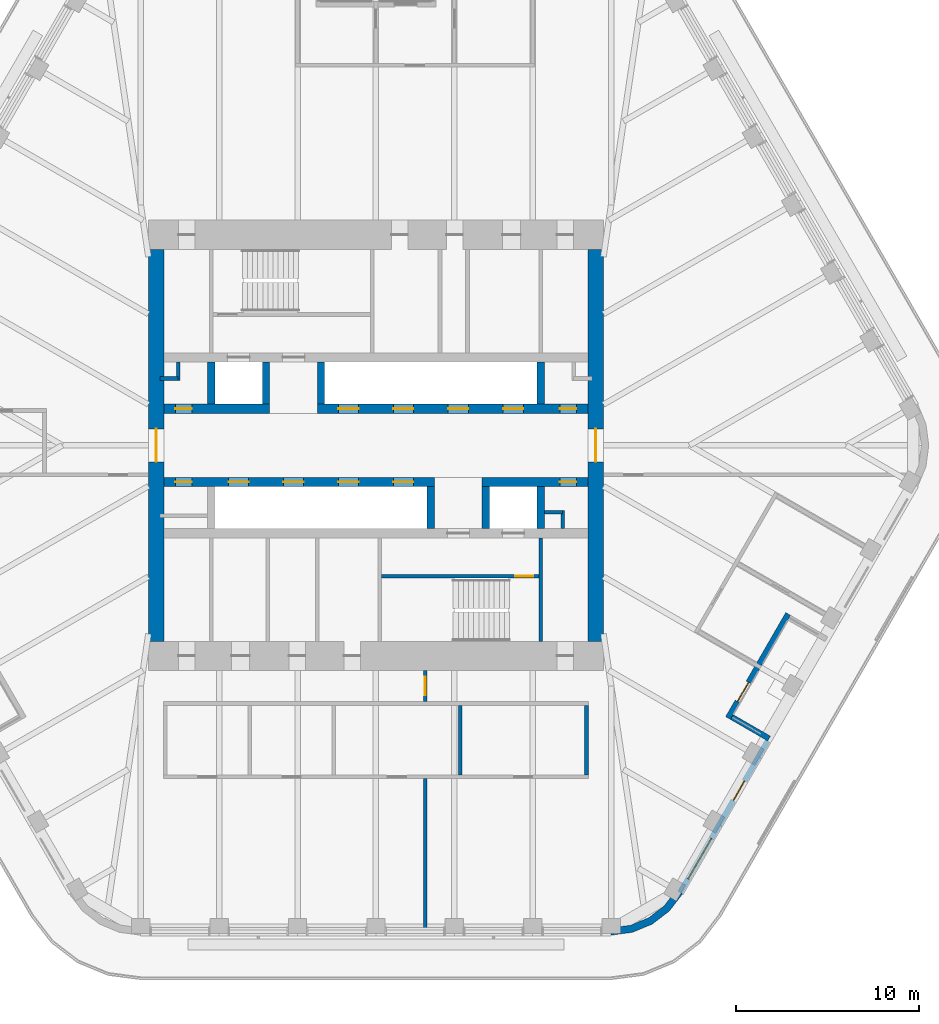
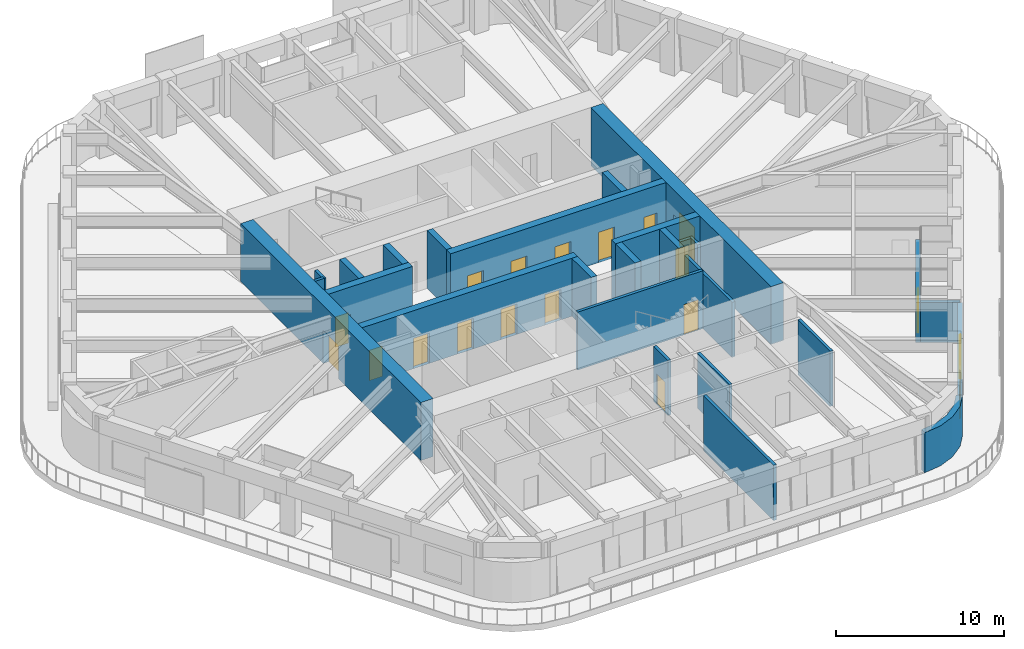
# One storey, part 14 of 19: 27 walls, 18 doors, 1 window, 19 openings.
"""IFC4 building model written with IfcOpenShell, lengths in metres."""

import ifcopenshell
import ifcopenshell.guid

model = None  # the IFC model being written
_history = None  # IfcOwnerHistory: only IFC2X3 demands one
_inside = {}  # id of a spatial element -> (the spatial element, [elements in it])
_under = {}  # id of a project, library or spatial element -> (it, [spatial elements below it])
_declared = {}  # id of a project -> (the project, [libraries it declares])
_typed = {}  # id of a type object -> (the type object, [elements of that type])
_made_of = {}  # id of a material, layer set ... -> (it, [elements and type objects made of it])


def new_model(schema):
    """Start an empty IFC model of exactly this schema.

    Asked for "IFC4X3", IfcOpenShell would pick the latest addendum, in which some entities
    have other attributes; the version numbers below select the first issue.
    IFC2X3 requires an IfcOwnerHistory on every rooted entity: one is made here for all.
    """
    global model, _history
    if schema == "IFC4X3":
        model = ifcopenshell.file(schema_version=(4, 3, 0, 0))
    else:
        model = ifcopenshell.file(schema=schema)
    _inside.clear()
    _under.clear()
    _declared.clear()
    _typed.clear()
    _made_of.clear()
    _history = None
    if model.schema == "IFC2X3":
        org = make("IfcOrganization", Name="unknown")
        user = make(
            "IfcPersonAndOrganization",
            ThePerson=make("IfcPerson", FamilyName="unknown"),
            TheOrganization=org,
        )
        app = make(
            "IfcApplication",
            ApplicationDeveloper=org,
            Version="unknown",
            ApplicationFullName="unknown",
            ApplicationIdentifier="unknown",
        )
        _history = make(
            "IfcOwnerHistory",
            OwningUser=user,
            OwningApplication=app,
            ChangeAction="ADDED",
            CreationDate=0,
        )
    return model


def make(cls, **values):
    """One entity of the class cls with the attributes given. An attribute that is None is left unset."""
    return model.create_entity(
        cls, **{name: value for name, value in values.items() if value is not None}
    )


def rooted(cls, **values):
    """An entity with a GlobalId (a new one), such as an element, a storey or a relation."""
    return make(cls, GlobalId=ifcopenshell.guid.new(), OwnerHistory=_history, **values)


def si_unit(unit_type, name, prefix=None):
    """IfcSIUnit, for example si_unit("LENGTHUNIT", "METRE", prefix="MILLI")."""
    return make("IfcSIUnit", UnitType=unit_type, Prefix=prefix, Name=name)


def assignment(units):
    """IfcUnitAssignment: the units of a project."""
    return None if units is None else make("IfcUnitAssignment", Units=units)


def point(xyz):
    """IfcCartesianPoint."""
    return None if xyz is None else make("IfcCartesianPoint", Coordinates=xyz)


def direction(xyz):
    """IfcDirection."""
    return None if xyz is None else make("IfcDirection", DirectionRatios=xyz)


def frame(location, z_axis=None, x_axis=None):
    """IfcAxis2Placement3D, a coordinate frame: its origin and axes. An axis left out is left unset."""
    return make(
        "IfcAxis2Placement3D",
        Location=point(location),
        Axis=direction(z_axis),
        RefDirection=direction(x_axis),
    )


def frame_2d(location, x_axis=None):
    """IfcAxis2Placement2D, a coordinate frame in the plane: its origin and x axis."""
    return make(
        "IfcAxis2Placement2D", Location=point(location), RefDirection=direction(x_axis)
    )


def origin():
    """The frame at (0, 0, 0) with its axes left unset."""
    return frame((0.0, 0.0, 0.0))


def place(relative_to, where):
    """IfcLocalPlacement: puts the frame where relative to a parent placement (None: the world)."""
    return make(
        "IfcLocalPlacement", PlacementRelTo=relative_to, RelativePlacement=where
    )


def context(
    kind, dimensions, precision=None, world=None, true_north=None, identifier=None
):
    """IfcGeometricRepresentationContext, for example the 3D "Model" context."""
    return make(
        "IfcGeometricRepresentationContext",
        ContextIdentifier=identifier,
        ContextType=kind,
        CoordinateSpaceDimension=dimensions,
        Precision=precision,
        WorldCoordinateSystem=world,
        TrueNorth=true_north,
    )


def subcontext(parent, identifier, kind, view, scale=None):
    """IfcGeometricRepresentationSubContext, for example "Body" below "Model"."""
    return make(
        "IfcGeometricRepresentationSubContext",
        ContextIdentifier=identifier,
        ContextType=kind,
        ParentContext=parent,
        TargetScale=scale,
        TargetView=view,
    )


def project(units=None, contexts=None):
    """IfcProject with its units and contexts."""
    return rooted(
        "IfcProject",
        Name="project",
        RepresentationContexts=contexts,
        UnitsInContext=assignment(units),
    )


def spatial(cls, under=None, at=None, **own):
    """A site, building, storey or space (cls), placed at a placement, below another one or the project."""
    s = rooted(cls, ObjectPlacement=at, **own)
    if under is not None:
        _under.setdefault(under.id(), (under, []))[1].append(s)
    return s


def polyline(points):
    """IfcPolyline through the points."""
    return make("IfcPolyline", Points=[point(p) for p in points])


def profile(cls, at=None, kind="AREA", **sizes):
    """A parametric profile (cls). Its sizes go by their IFC names, for example OverallWidth=200.0."""
    return make(cls, ProfileType=kind, Position=at, **sizes)


def rectangle(**sizes):
    """IfcRectangleProfileDef."""
    return profile("IfcRectangleProfileDef", **sizes)


def outline(outer, holes=None, kind="AREA"):
    """IfcArbitraryClosedProfileDef: a profile drawn as a closed curve; with holes, ...WithVoids."""
    if holes is None:
        return make("IfcArbitraryClosedProfileDef", ProfileType=kind, OuterCurve=outer)
    return make(
        "IfcArbitraryProfileDefWithVoids",
        ProfileType=kind,
        OuterCurve=outer,
        InnerCurves=holes,
    )


def extrude(swept, where, along, depth):
    """IfcExtrudedAreaSolid: the profile swept, set in the frame where, extruded along a direction by depth."""
    return make(
        "IfcExtrudedAreaSolid",
        SweptArea=swept,
        Position=where,
        ExtrudedDirection=direction(along),
        Depth=depth,
    )


def shape(context_of_items, identifier, shape_type, items):
    """IfcShapeRepresentation: the items that make up one representation, for example the "Body"."""
    return make(
        "IfcShapeRepresentation",
        ContextOfItems=context_of_items,
        RepresentationIdentifier=identifier,
        RepresentationType=shape_type,
        Items=items,
    )


def material(Name=None, Category=None):
    """IfcMaterial."""
    return make("IfcMaterial", Name=Name, Category=Category)


def layer(
    of_material, thickness, ventilated=None, Name=None, Category=None, Priority=None
):
    """IfcMaterialLayer: one layer of a wall or slab, of a material (None: an air gap)."""
    return make(
        "IfcMaterialLayer",
        Material=of_material,
        LayerThickness=thickness,
        IsVentilated=ventilated,
        Name=Name,
        Category=Category,
        Priority=Priority,
    )


def layer_set(layers, Name=None):
    """IfcMaterialLayerSet."""
    return make("IfcMaterialLayerSet", MaterialLayers=layers, LayerSetName=Name)


def made_of(thing, what):
    """Note that an element or type object is made of a material, layer set ...; save() writes the relation."""
    if what is not None:
        _made_of.setdefault(what.id(), (what, []))[1].append(thing)
    return thing


def type_object(cls, material=None, **own):
    """A type object (cls), such as IfcWallType, which elements share."""
    return made_of(rooted(cls, **own), material)


def element(
    cls,
    number,
    at=None,
    inside=None,
    cuts=None,
    type_object=None,
    material=None,
    context=None,
    identifier="Body",
    shape_type=None,
    held_by="IfcProductDefinitionShape",
    body=None,
    shapes=None,
    **own,
):
    """One element of the class cls, such as IfcWall. Its Tag is "e" and its number.

    at: its placement. inside: the storey or other place that contains it. cuts: it is an
    opening in that element (IfcRelVoidsElement). A single representation is given by context,
    identifier, shape_type and body (its items); several are given by shapes. held_by: the class
    of the entity that holds the representations. save() writes the other relations.
    """
    e = rooted(cls, Tag="e%d" % number, ObjectPlacement=at, **own)
    if body is not None:
        shapes = [shape(context, identifier, shape_type, body)]
    if shapes is not None:
        e.Representation = make(held_by, Representations=shapes)
    if inside is not None:
        _inside.setdefault(inside.id(), (inside, []))[1].append(e)
    if cuts is not None:
        rooted(
            "IfcRelVoidsElement", RelatingBuildingElement=cuts, RelatedOpeningElement=e
        )
    if type_object is not None:
        _typed.setdefault(type_object.id(), (type_object, []))[1].append(e)
    return made_of(e, material)


def fill(opening, filler):
    """IfcRelFillsElement: the door or window that sits in an opening."""
    return rooted(
        "IfcRelFillsElement",
        RelatingOpeningElement=opening,
        RelatedBuildingElement=filler,
    )


def aggregate(whole, parts):
    """IfcRelAggregates: a whole, such as a stair, and the parts it consists of."""
    return rooted("IfcRelAggregates", RelatingObject=whole, RelatedObjects=parts)


def save(model, path):
    """Write the relations noted so far, then the file.

    IfcRelAggregates (storeys below a building ...), IfcRelContainedInSpatialStructure (elements
    in a storey), IfcRelDefinesByType, IfcRelAssociatesMaterial and IfcRelDeclares: one each for
    every whole, place, type object, material and project.
    """
    for whole, parts in _under.values():
        aggregate(whole, parts)
    for where, things in _inside.values():
        rooted(
            "IfcRelContainedInSpatialStructure",
            RelatedElements=things,
            RelatingStructure=where,
        )
    for kind, things in _typed.values():
        rooted("IfcRelDefinesByType", RelatedObjects=things, RelatingType=kind)
    for what, things in _made_of.values():
        rooted("IfcRelAssociatesMaterial", RelatedObjects=things, RelatingMaterial=what)
    for by, libraries in _declared.values():
        rooted("IfcRelDeclares", RelatingContext=by, RelatedDefinitions=libraries)
    model.write(path)


model = new_model("IFC4")

# Units and contexts
model_context = context("Model", 3, precision=1e-05, world=origin(), true_north=direction((0.0, 1.0)))
body_context = subcontext(model_context, "Body", "Model", "MODEL_VIEW")
ifc_project = project(units=[si_unit("LENGTHUNIT", "METRE"), si_unit("AREAUNIT", "SQUARE_METRE"), si_unit("VOLUMEUNIT", "CUBIC_METRE"), si_unit("PLANEANGLEUNIT", "RADIAN"), si_unit("MASSUNIT", "GRAM", prefix="KILO")], contexts=[model_context])

# Site, building, storey
site_placement = place(None, origin())
site = spatial("IfcSite", under=ifc_project, at=site_placement, CompositionType="ELEMENT")
building_placement = place(site_placement, origin())
building = spatial("IfcBuilding", under=site, at=building_placement, Name="Tarfa Lantern Tower", CompositionType="ELEMENT")
storey_placement = place(building_placement, frame((0.0, 0.0, 332.5)))
storey = spatial("IfcBuildingStorey", under=building, at=storey_placement, Name="L75", CompositionType="ELEMENT", Elevation=332.5)

# Wall, openings, door, window
ifc_material_1 = material(Name="Limestone cladding on blockwork", Category="masonry")
ifc_layer_1 = layer(ifc_material_1, 0.300048828125)
ifc_layer_set_1 = layer_set([ifc_layer_1], Name="EW1 STONE-CLAD WALL 300")
wall_type_1 = type_object("IfcWallType", Name="EW1 STONE-CLAD WALL 300", PredefinedType="SOLIDWALL", material=ifc_layer_set_1)
wall_1_placement = place(storey_placement, frame((16.61328125, -24.425048828125, 0.0), z_axis=(0.0, 0.0, 1.0), x_axis=(0.499996453679, 0.866027451244, 0.0)))
wall_1 = element("IfcWall", 1, at=wall_1_placement, inside=storey, type_object=wall_type_1, Name="Stone wall SE", PredefinedType="SOLIDWALL", context=body_context, shape_type="SweptSolid", body=[
    extrude(rectangle(XDim=9.56396484375, YDim=0.300048828125, at=frame_2d((4.781982421875, 0.0))), origin(), (0.0, 0.0, 1.0), 2.89990234375),
])
opening_1_placement = place(wall_1_placement, frame((0.865966796875, 0.0, 0.60009765625)))
opening_1 = element("IfcOpeningElement", 2, at=opening_1_placement, cuts=wall_1, Name="Opening W17", PredefinedType="OPENING", context=body_context, shape_type="SweptSolid", body=[
    extrude(rectangle(XDim=2.550048828125, YDim=2.050048828125, at=frame_2d((1.27490234375, 1.02490234375))), frame((0.0, 0.159912109375, 0.0), z_axis=(0.0, -1.0, 0.0), x_axis=(1.0, 0.0, 0.0)), (0.0, 0.0, 1.0), 0.320068359375),
])
opening_2_placement = place(wall_1_placement, frame((5.822998046875, 0.0, 0.0)))
opening_2 = element("IfcOpeningElement", 3, at=opening_2_placement, cuts=wall_1, Name="Opening D37", PredefinedType="OPENING", context=body_context, shape_type="SweptSolid", body=[
    extrude(rectangle(XDim=1.199951171875, YDim=2.39990234375, at=frame_2d((0.60009765625, 1.199951171875))), frame((0.0, 0.159912109375, 0.0), z_axis=(0.0, -1.0, 0.0), x_axis=(1.0, 0.0, 0.0)), (0.0, 0.0, 1.0), 0.320068359375),
])
ifc_material_2 = material(Name="Aluminium framed glazed door", Category="aluminium")
door_type_1 = type_object("IfcDoorType", Name="BE3 BALCONY DOOR 1200x2400", OperationType="SINGLE_SWING_RIGHT", PredefinedType="DOOR", material=ifc_material_2)
door_1_placement = place(opening_2_placement, origin())
door_1 = element("IfcDoor", 4, at=door_1_placement, inside=storey, type_object=door_type_1, Name="Balcony door SE", OperationType="SINGLE_SWING_LEFT", OverallHeight=2.39990234375, OverallWidth=1.199951171875, PredefinedType="DOOR", context=body_context, shape_type="SweptSolid", body=[
    extrude(rectangle(XDim=1.199951171875, YDim=2.39990234375, at=frame_2d((0.60009765625, 1.199951171875))), frame((0.0, 0.02490234375, 0.0), z_axis=(0.0, -1.0, 0.0), x_axis=(1.0, 0.0, 0.0)), (0.0, 0.0, 1.0), 0.050048828125),
])
fill(opening_2, door_1)
ifc_material_3 = material(Name="Aluminium frame, double glazed", Category="aluminium")
window_type = type_object("IfcWindowType", Name="W17 FULL-HEIGHT GLAZING 2550x2050", PartitioningType="SINGLE_PANEL", PredefinedType="WINDOW", material=ifc_material_3)
window_placement = place(opening_1_placement, origin())
window = element("IfcWindow", 5, at=window_placement, inside=storey, type_object=window_type, Name="Window SE 1", OverallHeight=2.050048828125, OverallWidth=2.550048828125, PartitioningType="SINGLE_PANEL", PredefinedType="WINDOW", context=body_context, shape_type="SweptSolid", body=[
    extrude(rectangle(XDim=2.550048828125, YDim=2.050048828125, at=frame_2d((1.27490234375, 1.02490234375))), frame((0.0, 0.030029296875, 0.0), z_axis=(0.0, -1.0, 0.0), x_axis=(1.0, 0.0, 0.0)), (0.0, 0.0, 1.0), 0.06005859375),
])
fill(opening_1, window)

# Wall
wall_2_placement = place(storey_placement, frame((21.47021484375, -16.012451171875, 0.0), z_axis=(0.0, 0.0, 1.0), x_axis=(-0.866016039709, 0.500016218704, 0.0)))
element("IfcWall", 6, at=wall_2_placement, inside=storey, type_object=wall_type_1, Name="Terrace return SE 1", PredefinedType="SOLIDWALL", context=body_context, shape_type="SweptSolid", body=[
    extrude(rectangle(XDim=2.35009765625, YDim=0.300048828125, at=frame_2d((1.175048828125, 0.0))), origin(), (0.0, 0.0, 1.0), 2.89990234375),
])

# Wall, opening, door
wall_3_placement = place(storey_placement, frame((19.230224609375, -14.892333984375, 0.0), z_axis=(0.0, 0.0, 1.0), x_axis=(0.499999339774, 0.866025784966, 0.0)))
wall_3 = element("IfcWall", 7, at=wall_3_placement, inside=storey, type_object=wall_type_1, Name="Stone wall SES", PredefinedType="SOLIDWALL", context=body_context, shape_type="SweptSolid", body=[
    extrude(rectangle(XDim=6.56396484375, YDim=0.300048828125, at=frame_2d((3.281982421875, 0.0))), origin(), (0.0, 0.0, 1.0), 2.89990234375),
])
opening_3_placement = place(wall_3_placement, frame((1.041015625, 0.0, 0.0)))
opening_3 = element("IfcOpeningElement", 8, at=opening_3_placement, cuts=wall_3, Name="Opening D38", PredefinedType="OPENING", context=body_context, shape_type="SweptSolid", body=[
    extrude(rectangle(XDim=1.199951171875, YDim=2.39990234375, at=frame_2d((0.60009765625, 1.199951171875))), frame((0.0, 0.159912109375, 0.0), z_axis=(0.0, -1.0, 0.0), x_axis=(1.0, 0.0, 0.0)), (0.0, 0.0, 1.0), 0.320068359375),
])
door_2_placement = place(opening_3_placement, origin())
door_2 = element("IfcDoor", 9, at=door_2_placement, inside=storey, type_object=door_type_1, Name="Balcony door SES", OperationType="SINGLE_SWING_LEFT", OverallHeight=2.39990234375, OverallWidth=1.199951171875, PredefinedType="DOOR", context=body_context, shape_type="SweptSolid", body=[
    extrude(rectangle(XDim=1.199951171875, YDim=2.39990234375, at=frame_2d((0.60009765625, 1.199951171875))), frame((0.0, 0.02490234375, 0.0), z_axis=(0.0, -1.0, 0.0), x_axis=(1.0, 0.0, 0.0)), (0.0, 0.0, 1.0), 0.050048828125),
])
fill(opening_3, door_2)

# Walls
ifc_layer_2 = layer(ifc_material_1, 0.39990234375)
ifc_layer_set_2 = layer_set([ifc_layer_2], Name="EW2 CURVED STONE CORNER 400")
wall_type_2 = type_object("IfcWallType", Name="EW2 CURVED STONE CORNER 400", PredefinedType="SOLIDWALL", material=ifc_layer_set_2)
wall_4_placement = place(storey_placement, origin())
element("IfcWall", 10, at=wall_4_placement, inside=storey, type_object=wall_type_2, Name="Stone corner S-SE", PredefinedType="SOLIDWALL", context=body_context, shape_type="SweptSolid", body=[
    extrude(outline(polyline([(12.845947265625, -26.75), (14.0107421875, -26.5966796875), (15.095947265625, -26.147216796875), (16.028076171875, -25.431884765625), (16.7431640625, -24.5), (16.396728515625, -24.300048828125), (15.7451171875, -25.149169921875), (14.89599609375, -25.80078125), (13.9072265625, -26.210205078125), (12.845947265625, -26.35009765625), (12.845947265625, -26.75)])), origin(), (0.0, 0.0, 1.0), 2.89990234375),
])
ifc_material_4 = material(Name="Concrete blockwork", Category="masonry")
ifc_layer_3 = layer(ifc_material_4, 0.199951171875)
ifc_layer_set_3 = layer_set([ifc_layer_3], Name="IW1 BLOCKWORK PARTITION 200 EI 120")
wall_type_3 = type_object("IfcWallType", Name="IW1 BLOCKWORK PARTITION 200 EI 120", PredefinedType="PARTITIONING", material=ifc_layer_set_3)
wall_5_placement = place(storey_placement, frame((9.0, -5.050048828125, 0.0), z_axis=(0.0, 0.0, 1.0), x_axis=(0.0, -1.0, 0.0)))
element("IfcWall", 11, at=wall_5_placement, inside=storey, type_object=wall_type_3, Name="Core partition", PredefinedType="PARTITIONING", context=body_context, shape_type="SweptSolid", body=[
    extrude(rectangle(XDim=5.64990234375, YDim=0.199951171875, at=frame_2d((2.824951171875, 0.0))), origin(), (0.0, 0.0, 1.0), 4.0),
])
for number, where, z_axis, x_axis, name in (
    (12, (-11.800048828125, 3.64990234375, 0.0), (0.0, 0.0, 1.0), (1.0, 0.0, 0.0), "Core partition"),
    (13, (-10.800048828125, 3.550048828125, 0.0), (0.0, 0.0, 1.0), (0.0, 1.0, 0.0), "Core partition"),
    (14, (10.199951171875, -3.64990234375, 0.0), (0.0, 0.0, 1.0), (-1.0, 0.0, 0.0), "Core partition"),
    (15, (10.199951171875, -3.550048828125, 0.0), (0.0, 0.0, 1.0), (0.0, -1.0, 0.0), "Core partition"),
):
    element("IfcWall", number, at=place(storey_placement, frame(where, z_axis=z_axis, x_axis=x_axis)), inside=storey, type_object=wall_type_3, Name=name, PredefinedType="PARTITIONING", context=body_context, shape_type="SweptSolid", body=[
        extrude(rectangle(XDim=1.0, YDim=0.199951171875, at=frame_2d((0.5, 0.0))), origin(), (0.0, 0.0, 1.0), 4.0),
    ])
ifc_material_5 = material(Name="Gypsum board on steel studs", Category="steel")
ifc_layer_4 = layer(ifc_material_5, 0.2099609375)
ifc_layer_set_4 = layer_set([ifc_layer_4], Name="IW2 ACOUSTIC PARTITION 200")
wall_type_4 = type_object("IfcWallType", Name="IW2 ACOUSTIC PARTITION 200", PredefinedType="PARTITIONING", material=ifc_layer_set_4)
for number, where, z_axis, x_axis, name in (
    (16, (11.5, -14.199951171875, 0.0), (0.0, 0.0, 1.0), (0.0, -1.0, 0.0), "Partition"),
    (17, (4.60009765625, -14.199951171875, 0.0), (0.0, 0.0, 1.0), (0.0, -1.0, 0.0), "Partition"),
):
    element("IfcWall", number, at=place(storey_placement, frame(where, z_axis=z_axis, x_axis=x_axis)), inside=storey, type_object=wall_type_4, Name=name, PredefinedType="PARTITIONING", context=body_context, shape_type="SweptSolid", body=[
        extrude(rectangle(XDim=3.800048828125, YDim=0.199951171875, at=frame_2d((1.89990234375, 0.0))), origin(), (0.0, 0.0, 1.0), 4.0),
    ])

# Wall, opening, door
wall_6_placement = place(storey_placement, frame((2.699951171875, -12.300048828125, 0.0), z_axis=(0.0, 0.0, 1.0), x_axis=(0.0, -1.0, 0.0)))
wall_6 = element("IfcWall", 18, at=wall_6_placement, inside=storey, type_object=wall_type_4, Name="Partition", PredefinedType="PARTITIONING", context=body_context, shape_type="SweptSolid", body=[
    extrude(rectangle(XDim=1.699951171875, YDim=0.199951171875, at=frame_2d((0.85009765625, 0.0))), origin(), (0.0, 0.0, 1.0), 4.0),
])
opening_4_placement = place(wall_6_placement, frame((0.35009765625, 0.0, 0.0)))
opening_4 = element("IfcOpeningElement", 19, at=opening_4_placement, cuts=wall_6, Name="Opening D33", PredefinedType="OPENING", context=body_context, shape_type="SweptSolid", body=[
    extrude(rectangle(XDim=1.0, YDim=2.199951171875, at=frame_2d((0.5, 1.10009765625))), frame((0.0, 0.10986328125, 0.0), z_axis=(0.0, -1.0, 0.0), x_axis=(1.0, 0.0, 0.0)), (0.0, 0.0, 1.0), 0.219970703125),
])
ifc_material_6 = material(Name="Timber door", Category="wood")
door_type_2 = type_object("IfcDoorType", Name="DR1 ROOM DOOR 1000x2200", OperationType="SINGLE_SWING_LEFT", PredefinedType="DOOR", material=ifc_material_6)
door_3_placement = place(opening_4_placement, origin())
door_3 = element("IfcDoor", 20, at=door_3_placement, inside=storey, type_object=door_type_2, Name="Zone door", OperationType="SINGLE_SWING_LEFT", OverallHeight=2.199951171875, OverallWidth=1.0, PredefinedType="DOOR", context=body_context, shape_type="SweptSolid", body=[
    extrude(rectangle(XDim=1.0, YDim=2.199951171875, at=frame_2d((0.5, 1.10009765625))), frame((0.0, 0.02490234375, 0.0), z_axis=(0.0, -1.0, 0.0), x_axis=(1.0, 0.0, 0.0)), (0.0, 0.0, 1.0), 0.050048828125),
])
fill(opening_4, door_3)

# Wall
wall_7_placement = place(storey_placement, frame((2.699951171875, -18.199951171875, 0.0), z_axis=(0.0, 0.0, 1.0), x_axis=(0.0, -1.0, 0.0)))
element("IfcWall", 21, at=wall_7_placement, inside=storey, type_object=wall_type_4, Name="Partition", PredefinedType="PARTITIONING", context=body_context, shape_type="SweptSolid", body=[
    extrude(rectangle(XDim=8.35009765625, YDim=0.199951171875, at=frame_2d((4.175048828125, 0.0))), origin(), (0.0, 0.0, 1.0), 4.0),
])

# Wall, opening, door
ifc_material_7 = material(Name="Concrete C80/95", Category="concrete")
ifc_layer_5 = layer(ifc_material_7, 0.199951171875)
ifc_layer_set_5 = layer_set([ifc_layer_5], Name="SW12 CORE WALL 200")
wall_type_5 = type_object("IfcWallType", Name="SW12 CORE WALL 200", PredefinedType="SHEAR", material=ifc_layer_set_5)
wall_8_placement = place(storey_placement, frame((8.89990234375, -7.14990234375, 0.0), z_axis=(0.0, 0.0, 1.0), x_axis=(-1.0, 0.0, 0.0)))
wall_8 = element("IfcWall", 22, at=wall_8_placement, inside=storey, type_object=wall_type_5, Name="Core wall stair partition S", PredefinedType="SHEAR", context=body_context, shape_type="SweptSolid", body=[
    extrude(rectangle(XDim=8.599853515625, YDim=0.199951171875, at=frame_2d((4.2998046875, 0.0))), origin(), (0.0, 0.0, 1.0), 4.199951171875),
])
opening_5_placement = place(wall_8_placement, frame((0.300048828125, 0.0, 0.0)))
opening_5 = element("IfcOpeningElement", 23, at=opening_5_placement, cuts=wall_8, Name="Opening D20", PredefinedType="OPENING", context=body_context, shape_type="SweptSolid", body=[
    extrude(rectangle(XDim=1.0, YDim=2.199951171875, at=frame_2d((0.5, 1.10009765625))), frame((0.0, 0.10986328125, 0.0), z_axis=(0.0, -1.0, 0.0), x_axis=(1.0, 0.0, 0.0)), (0.0, 0.0, 1.0), 0.219970703125),
])
ifc_material_8 = material(Name="Steel fire door", Category="steel")
door_type_3 = type_object("IfcDoorType", Name="DF2 STAIR DOOR 1000x2200", OperationType="SINGLE_SWING_LEFT", PredefinedType="DOOR", material=ifc_material_8)
door_4_placement = place(opening_5_placement, origin())
door_4 = element("IfcDoor", 24, at=door_4_placement, inside=storey, type_object=door_type_3, Name="Stair door", OperationType="SINGLE_SWING_RIGHT", OverallHeight=2.199951171875, OverallWidth=1.0, PredefinedType="DOOR", context=body_context, shape_type="SweptSolid", body=[
    extrude(rectangle(XDim=1.0, YDim=2.199951171875, at=frame_2d((0.5, 1.10009765625))), frame((0.0, 0.02490234375, 0.0), z_axis=(0.0, -1.0, 0.0), x_axis=(1.0, 0.0, 0.0)), (0.0, 0.0, 1.0), 0.050048828125),
])
fill(opening_5, door_4)

ifc_layer_6 = layer(ifc_material_7, 0.85009765625)
ifc_layer_set_6 = layer_set([ifc_layer_6], Name="SW3 CORE WALL 850")
wall_type_6 = type_object("IfcWallType", Name="SW3 CORE WALL 850", PredefinedType="SHEAR", material=ifc_layer_set_6)
wall_9_placement = place(storey_placement, frame((12.0, -10.699951171875, 0.0), z_axis=(0.0, 0.0, 1.0), x_axis=(0.0, 1.0, 0.0)))
wall_9 = element("IfcWall", 25, at=wall_9_placement, inside=storey, type_object=wall_type_6, Name="Core wall E", PredefinedType="SHEAR", context=body_context, shape_type="SweptSolid", body=[
    extrude(rectangle(XDim=21.39990234375, YDim=0.85009765625, at=frame_2d((10.699951171875, 0.0))), origin(), (0.0, 0.0, 1.0), 4.199951171875),
])
opening_6_placement = place(wall_9_placement, frame((9.800048828125, 0.0, 0.0)))
opening_6 = element("IfcOpeningElement", 26, at=opening_6_placement, cuts=wall_9, Name="Opening D07", PredefinedType="OPENING", context=body_context, shape_type="SweptSolid", body=[
    extrude(rectangle(XDim=1.800048828125, YDim=2.39990234375, at=frame_2d((0.89990234375, 1.199951171875))), frame((0.0, 0.43505859375, 0.0), z_axis=(0.0, -1.0, 0.0), x_axis=(1.0, 0.0, 0.0)), (0.0, 0.0, 1.0), 0.8701171875),
])
door_type_4 = type_object("IfcDoorType", Name="DL1 LOBBY DOOR 1800x2400", OperationType="DOUBLE_DOOR_SINGLE_SWING", PredefinedType="DOOR", material=ifc_material_8)
door_5_placement = place(opening_6_placement, frame((1.800048828125, 0.0, 0.0), z_axis=(0.0, 0.0, 1.0), x_axis=(-1.0, 0.0, 0.0)))
door_5 = element("IfcDoor", 27, at=door_5_placement, inside=storey, type_object=door_type_4, Name="Lift lobby door", OperationType="DOUBLE_DOOR_SINGLE_SWING", OverallHeight=2.39990234375, OverallWidth=1.800048828125, PredefinedType="DOOR", context=body_context, shape_type="SweptSolid", body=[
    extrude(rectangle(XDim=1.800048828125, YDim=2.39990234375, at=frame_2d((0.89990234375, 1.199951171875))), frame((0.0, 0.02490234375, 0.0), z_axis=(0.0, -1.0, 0.0), x_axis=(1.0, 0.0, 0.0)), (0.0, 0.0, 1.0), 0.050048828125),
])
fill(opening_6, door_5)

wall_10_placement = place(storey_placement, frame((-12.0, 10.699951171875, 0.0), z_axis=(0.0, 0.0, 1.0), x_axis=(0.0, -1.0, 0.0)))
wall_10 = element("IfcWall", 28, at=wall_10_placement, inside=storey, type_object=wall_type_6, Name="Core wall W", PredefinedType="SHEAR", context=body_context, shape_type="SweptSolid", body=[
    extrude(rectangle(XDim=21.39990234375, YDim=0.85009765625, at=frame_2d((10.699951171875, 0.0))), origin(), (0.0, 0.0, 1.0), 4.199951171875),
])
opening_7_placement = place(wall_10_placement, frame((9.800048828125, 0.0, 0.0)))
opening_7 = element("IfcOpeningElement", 29, at=opening_7_placement, cuts=wall_10, Name="Opening D08", PredefinedType="OPENING", context=body_context, shape_type="SweptSolid", body=[
    extrude(rectangle(XDim=1.800048828125, YDim=2.39990234375, at=frame_2d((0.89990234375, 1.199951171875))), frame((0.0, 0.43505859375, 0.0), z_axis=(0.0, -1.0, 0.0), x_axis=(1.0, 0.0, 0.0)), (0.0, 0.0, 1.0), 0.8701171875),
])
door_6_placement = place(opening_7_placement, frame((1.800048828125, 0.0, 0.0), z_axis=(0.0, 0.0, 1.0), x_axis=(-1.0, 0.0, 0.0)))
door_6 = element("IfcDoor", 30, at=door_6_placement, inside=storey, type_object=door_type_4, Name="Lift lobby door", OperationType="DOUBLE_DOOR_SINGLE_SWING", OverallHeight=2.39990234375, OverallWidth=1.800048828125, PredefinedType="DOOR", context=body_context, shape_type="SweptSolid", body=[
    extrude(rectangle(XDim=1.800048828125, YDim=2.39990234375, at=frame_2d((0.89990234375, 1.199951171875))), frame((0.0, 0.02490234375, 0.0), z_axis=(0.0, -1.0, 0.0), x_axis=(1.0, 0.0, 0.0)), (0.0, 0.0, 1.0), 0.050048828125),
])
fill(opening_7, door_6)

ifc_layer_7 = layer(ifc_material_7, 0.5)
ifc_layer_set_7 = layer_set([ifc_layer_7], Name="SW5 CORE WALL 500")
wall_type_7 = type_object("IfcWallType", Name="SW5 CORE WALL 500", PredefinedType="SHEAR", material=ifc_layer_set_7)
wall_11_placement = place(storey_placement, frame((-11.574951171875, 2.0, 0.0), z_axis=(0.0, 0.0, 1.0), x_axis=(1.0, 0.0, 0.0)))
wall_11 = element("IfcWall", 31, at=wall_11_placement, inside=storey, type_object=wall_type_7, Name="Core wall lobby west N", PredefinedType="SHEAR", context=body_context, shape_type="SweptSolid", body=[
    extrude(rectangle(XDim=5.77490234375, YDim=0.5, at=frame_2d((2.887451171875, 0.0))), origin(), (0.0, 0.0, 1.0), 4.199951171875),
])
opening_8_placement = place(wall_11_placement, frame((0.625, 0.0, 0.0)))
opening_8 = element("IfcOpeningElement", 32, at=opening_8_placement, cuts=wall_11, Name="Opening D11", PredefinedType="OPENING", context=body_context, shape_type="SweptSolid", body=[
    extrude(rectangle(XDim=0.89990234375, YDim=2.199951171875, at=frame_2d((0.449951171875, 1.10009765625))), frame((0.0, 0.260009765625, 0.0), z_axis=(0.0, -1.0, 0.0), x_axis=(1.0, 0.0, 0.0)), (0.0, 0.0, 1.0), 0.52001953125),
])
door_type_5 = type_object("IfcDoorType", Name="DF6 SERVICE ROOM DOOR 900x2200", OperationType="SINGLE_SWING_LEFT", PredefinedType="DOOR", material=ifc_material_8)
door_7_placement = place(opening_8_placement, origin())
door_7 = element("IfcDoor", 33, at=door_7_placement, inside=storey, type_object=door_type_5, Name="Service room door", OperationType="SINGLE_SWING_RIGHT", OverallHeight=2.199951171875, OverallWidth=0.89990234375, PredefinedType="DOOR", context=body_context, shape_type="SweptSolid", body=[
    extrude(rectangle(XDim=0.89990234375, YDim=2.199951171875, at=frame_2d((0.449951171875, 1.10009765625))), frame((0.0, 0.02490234375, 0.0), z_axis=(0.0, -1.0, 0.0), x_axis=(1.0, 0.0, 0.0)), (0.0, 0.0, 1.0), 0.050048828125),
])
fill(opening_8, door_7)

# Wall, openings, doors
wall_12_placement = place(storey_placement, frame((-3.199951171875, 2.0, 0.0), z_axis=(0.0, 0.0, 1.0), x_axis=(1.0, 0.0, 0.0)))
wall_12 = element("IfcWall", 34, at=wall_12_placement, inside=storey, type_object=wall_type_7, Name="Core wall lobby east N", PredefinedType="SHEAR", context=body_context, shape_type="SweptSolid", body=[
    extrude(rectangle(XDim=14.77490234375, YDim=0.5, at=frame_2d((7.387451171875, 0.0))), origin(), (0.0, 0.0, 1.0), 4.199951171875),
])
opening_9_placement = place(wall_12_placement, frame((13.25, 0.0, 0.0)))
opening_9 = element("IfcOpeningElement", 35, at=opening_9_placement, cuts=wall_12, Name="Opening D09", PredefinedType="OPENING", context=body_context, shape_type="SweptSolid", body=[
    extrude(rectangle(XDim=0.89990234375, YDim=2.199951171875, at=frame_2d((0.449951171875, 1.10009765625))), frame((0.0, 0.260009765625, 0.0), z_axis=(0.0, -1.0, 0.0), x_axis=(1.0, 0.0, 0.0)), (0.0, 0.0, 1.0), 0.52001953125),
])
opening_10_placement = place(wall_12_placement, frame((1.14990234375, 0.0, 0.0)))
opening_10 = element("IfcOpeningElement", 36, at=opening_10_placement, cuts=wall_12, Name="Opening LD03", PredefinedType="OPENING", context=body_context, shape_type="SweptSolid", body=[
    extrude(rectangle(XDim=1.10009765625, YDim=2.199951171875, at=frame_2d((0.550048828125, 1.10009765625))), frame((0.0, 0.260009765625, 0.0), z_axis=(0.0, -1.0, 0.0), x_axis=(1.0, 0.0, 0.0)), (0.0, 0.0, 1.0), 0.52001953125),
])
opening_11_placement = place(wall_12_placement, frame((4.14990234375, 0.0, 0.0)))
opening_11 = element("IfcOpeningElement", 37, at=opening_11_placement, cuts=wall_12, Name="Opening LD04", PredefinedType="OPENING", context=body_context, shape_type="SweptSolid", body=[
    extrude(rectangle(XDim=1.10009765625, YDim=2.199951171875, at=frame_2d((0.550048828125, 1.10009765625))), frame((0.0, 0.260009765625, 0.0), z_axis=(0.0, -1.0, 0.0), x_axis=(1.0, 0.0, 0.0)), (0.0, 0.0, 1.0), 0.52001953125),
])
opening_12_placement = place(wall_12_placement, frame((7.14990234375, 0.0, 0.0)))
opening_12 = element("IfcOpeningElement", 38, at=opening_12_placement, cuts=wall_12, Name="Opening LD05", PredefinedType="OPENING", context=body_context, shape_type="SweptSolid", body=[
    extrude(rectangle(XDim=1.10009765625, YDim=2.199951171875, at=frame_2d((0.550048828125, 1.10009765625))), frame((0.0, 0.260009765625, 0.0), z_axis=(0.0, -1.0, 0.0), x_axis=(1.0, 0.0, 0.0)), (0.0, 0.0, 1.0), 0.52001953125),
])
opening_13_placement = place(wall_12_placement, frame((10.14990234375, 0.0, 0.0)))
opening_13 = element("IfcOpeningElement", 39, at=opening_13_placement, cuts=wall_12, Name="Opening LD06", PredefinedType="OPENING", context=body_context, shape_type="SweptSolid", body=[
    extrude(rectangle(XDim=1.10009765625, YDim=2.199951171875, at=frame_2d((0.550048828125, 1.10009765625))), frame((0.0, 0.260009765625, 0.0), z_axis=(0.0, -1.0, 0.0), x_axis=(1.0, 0.0, 0.0)), (0.0, 0.0, 1.0), 0.52001953125),
])
door_8_placement = place(opening_9_placement, origin())
door_8 = element("IfcDoor", 40, at=door_8_placement, inside=storey, type_object=door_type_5, Name="Service room door", OperationType="SINGLE_SWING_LEFT", OverallHeight=2.199951171875, OverallWidth=0.89990234375, PredefinedType="DOOR", context=body_context, shape_type="SweptSolid", body=[
    extrude(rectangle(XDim=0.89990234375, YDim=2.199951171875, at=frame_2d((0.449951171875, 1.10009765625))), frame((0.0, 0.02490234375, 0.0), z_axis=(0.0, -1.0, 0.0), x_axis=(1.0, 0.0, 0.0)), (0.0, 0.0, 1.0), 0.050048828125),
])
fill(opening_9, door_8)
ifc_material_9 = material(Name="Stainless steel lift door", Category="steel")
door_type_6 = type_object("IfcDoorType", Name="LD2 LIFT LANDING DOOR 1100x2200", OperationType="SLIDING_TO_LEFT", PredefinedType="DOOR", material=ifc_material_9)
door_9_placement = place(opening_10_placement, frame((1.10009765625, 0.0, 0.0), z_axis=(0.0, 0.0, 1.0), x_axis=(-1.0, 0.0, 0.0)))
door_9 = element("IfcDoor", 41, at=door_9_placement, inside=storey, type_object=door_type_6, Name="Landing door PD1", OperationType="SLIDING_TO_LEFT", OverallHeight=2.199951171875, OverallWidth=1.10009765625, PredefinedType="DOOR", context=body_context, shape_type="SweptSolid", body=[
    extrude(rectangle(XDim=1.10009765625, YDim=2.199951171875, at=frame_2d((0.550048828125, 1.10009765625))), frame((0.0, 0.02490234375, 0.0), z_axis=(0.0, -1.0, 0.0), x_axis=(1.0, 0.0, 0.0)), (0.0, 0.0, 1.0), 0.050048828125),
])
fill(opening_10, door_9)
door_10_placement = place(opening_11_placement, frame((1.10009765625, 0.0, 0.0), z_axis=(0.0, 0.0, 1.0), x_axis=(-1.0, 0.0, 0.0)))
door_10 = element("IfcDoor", 42, at=door_10_placement, inside=storey, type_object=door_type_6, Name="Landing door PD2", OperationType="SLIDING_TO_LEFT", OverallHeight=2.199951171875, OverallWidth=1.10009765625, PredefinedType="DOOR", context=body_context, shape_type="SweptSolid", body=[
    extrude(rectangle(XDim=1.10009765625, YDim=2.199951171875, at=frame_2d((0.550048828125, 1.10009765625))), frame((0.0, 0.02490234375, 0.0), z_axis=(0.0, -1.0, 0.0), x_axis=(1.0, 0.0, 0.0)), (0.0, 0.0, 1.0), 0.050048828125),
])
fill(opening_11, door_10)
door_11_placement = place(opening_12_placement, frame((1.10009765625, 0.0, 0.0), z_axis=(0.0, 0.0, 1.0), x_axis=(-1.0, 0.0, 0.0)))
door_11 = element("IfcDoor", 43, at=door_11_placement, inside=storey, type_object=door_type_6, Name="Landing door PD3", OperationType="SLIDING_TO_LEFT", OverallHeight=2.199951171875, OverallWidth=1.10009765625, PredefinedType="DOOR", context=body_context, shape_type="SweptSolid", body=[
    extrude(rectangle(XDim=1.10009765625, YDim=2.199951171875, at=frame_2d((0.550048828125, 1.10009765625))), frame((0.0, 0.02490234375, 0.0), z_axis=(0.0, -1.0, 0.0), x_axis=(1.0, 0.0, 0.0)), (0.0, 0.0, 1.0), 0.050048828125),
])
fill(opening_12, door_11)
door_12_placement = place(opening_13_placement, frame((1.10009765625, 0.0, 0.0), z_axis=(0.0, 0.0, 1.0), x_axis=(-1.0, 0.0, 0.0)))
door_12 = element("IfcDoor", 44, at=door_12_placement, inside=storey, type_object=door_type_6, Name="Landing door PD4", OperationType="SLIDING_TO_LEFT", OverallHeight=2.199951171875, OverallWidth=1.10009765625, PredefinedType="DOOR", context=body_context, shape_type="SweptSolid", body=[
    extrude(rectangle(XDim=1.10009765625, YDim=2.199951171875, at=frame_2d((0.550048828125, 1.10009765625))), frame((0.0, 0.02490234375, 0.0), z_axis=(0.0, -1.0, 0.0), x_axis=(1.0, 0.0, 0.0)), (0.0, 0.0, 1.0), 0.050048828125),
])
fill(opening_13, door_12)

# Wall, opening, door
wall_13_placement = place(storey_placement, frame((11.574951171875, -2.0, 0.0), z_axis=(0.0, 0.0, 1.0), x_axis=(-1.0, 0.0, 0.0)))
wall_13 = element("IfcWall", 45, at=wall_13_placement, inside=storey, type_object=wall_type_7, Name="Core wall lobby west S", PredefinedType="SHEAR", context=body_context, shape_type="SweptSolid", body=[
    extrude(rectangle(XDim=5.77490234375, YDim=0.5, at=frame_2d((2.887451171875, 0.0))), origin(), (0.0, 0.0, 1.0), 4.199951171875),
])
opening_14_placement = place(wall_13_placement, frame((0.625, 0.0, 0.0)))
opening_14 = element("IfcOpeningElement", 46, at=opening_14_placement, cuts=wall_13, Name="Opening D12", PredefinedType="OPENING", context=body_context, shape_type="SweptSolid", body=[
    extrude(rectangle(XDim=0.89990234375, YDim=2.199951171875, at=frame_2d((0.449951171875, 1.10009765625))), frame((0.0, 0.260009765625, 0.0), z_axis=(0.0, -1.0, 0.0), x_axis=(1.0, 0.0, 0.0)), (0.0, 0.0, 1.0), 0.52001953125),
])
door_13_placement = place(opening_14_placement, origin())
door_13 = element("IfcDoor", 47, at=door_13_placement, inside=storey, type_object=door_type_5, Name="Service room door", OperationType="SINGLE_SWING_RIGHT", OverallHeight=2.199951171875, OverallWidth=0.89990234375, PredefinedType="DOOR", context=body_context, shape_type="SweptSolid", body=[
    extrude(rectangle(XDim=0.89990234375, YDim=2.199951171875, at=frame_2d((0.449951171875, 1.10009765625))), frame((0.0, 0.02490234375, 0.0), z_axis=(0.0, -1.0, 0.0), x_axis=(1.0, 0.0, 0.0)), (0.0, 0.0, 1.0), 0.050048828125),
])
fill(opening_14, door_13)

# Wall, openings, doors
wall_14_placement = place(storey_placement, frame((3.199951171875, -2.0, 0.0), z_axis=(0.0, 0.0, 1.0), x_axis=(-1.0, 0.0, 0.0)))
wall_14 = element("IfcWall", 48, at=wall_14_placement, inside=storey, type_object=wall_type_7, Name="Core wall lobby east S", PredefinedType="SHEAR", context=body_context, shape_type="SweptSolid", body=[
    extrude(rectangle(XDim=14.77490234375, YDim=0.5, at=frame_2d((7.387451171875, 0.0))), origin(), (0.0, 0.0, 1.0), 4.199951171875),
])
opening_15_placement = place(wall_14_placement, frame((13.25, 0.0, 0.0)))
opening_15 = element("IfcOpeningElement", 49, at=opening_15_placement, cuts=wall_14, Name="Opening D10", PredefinedType="OPENING", context=body_context, shape_type="SweptSolid", body=[
    extrude(rectangle(XDim=0.89990234375, YDim=2.199951171875, at=frame_2d((0.449951171875, 1.10009765625))), frame((0.0, 0.260009765625, 0.0), z_axis=(0.0, -1.0, 0.0), x_axis=(1.0, 0.0, 0.0)), (0.0, 0.0, 1.0), 0.52001953125),
])
opening_16_placement = place(wall_14_placement, frame((1.14990234375, 0.0, 0.0)))
opening_16 = element("IfcOpeningElement", 50, at=opening_16_placement, cuts=wall_14, Name="Opening LD07", PredefinedType="OPENING", context=body_context, shape_type="SweptSolid", body=[
    extrude(rectangle(XDim=1.10009765625, YDim=2.199951171875, at=frame_2d((0.550048828125, 1.10009765625))), frame((0.0, 0.260009765625, 0.0), z_axis=(0.0, -1.0, 0.0), x_axis=(1.0, 0.0, 0.0)), (0.0, 0.0, 1.0), 0.52001953125),
])
opening_17_placement = place(wall_14_placement, frame((4.14990234375, 0.0, 0.0)))
opening_17 = element("IfcOpeningElement", 51, at=opening_17_placement, cuts=wall_14, Name="Opening LD08", PredefinedType="OPENING", context=body_context, shape_type="SweptSolid", body=[
    extrude(rectangle(XDim=1.10009765625, YDim=2.199951171875, at=frame_2d((0.550048828125, 1.10009765625))), frame((0.0, 0.260009765625, 0.0), z_axis=(0.0, -1.0, 0.0), x_axis=(1.0, 0.0, 0.0)), (0.0, 0.0, 1.0), 0.52001953125),
])
opening_18_placement = place(wall_14_placement, frame((7.14990234375, 0.0, 0.0)))
opening_18 = element("IfcOpeningElement", 52, at=opening_18_placement, cuts=wall_14, Name="Opening LD09", PredefinedType="OPENING", context=body_context, shape_type="SweptSolid", body=[
    extrude(rectangle(XDim=1.10009765625, YDim=2.199951171875, at=frame_2d((0.550048828125, 1.10009765625))), frame((0.0, 0.260009765625, 0.0), z_axis=(0.0, -1.0, 0.0), x_axis=(1.0, 0.0, 0.0)), (0.0, 0.0, 1.0), 0.52001953125),
])
opening_19_placement = place(wall_14_placement, frame((10.14990234375, 0.0, 0.0)))
opening_19 = element("IfcOpeningElement", 53, at=opening_19_placement, cuts=wall_14, Name="Opening LD10", PredefinedType="OPENING", context=body_context, shape_type="SweptSolid", body=[
    extrude(rectangle(XDim=1.10009765625, YDim=2.199951171875, at=frame_2d((0.550048828125, 1.10009765625))), frame((0.0, 0.260009765625, 0.0), z_axis=(0.0, -1.0, 0.0), x_axis=(1.0, 0.0, 0.0)), (0.0, 0.0, 1.0), 0.52001953125),
])
door_14_placement = place(opening_15_placement, origin())
door_14 = element("IfcDoor", 54, at=door_14_placement, inside=storey, type_object=door_type_5, Name="Service room door", OperationType="SINGLE_SWING_LEFT", OverallHeight=2.199951171875, OverallWidth=0.89990234375, PredefinedType="DOOR", context=body_context, shape_type="SweptSolid", body=[
    extrude(rectangle(XDim=0.89990234375, YDim=2.199951171875, at=frame_2d((0.449951171875, 1.10009765625))), frame((0.0, 0.02490234375, 0.0), z_axis=(0.0, -1.0, 0.0), x_axis=(1.0, 0.0, 0.0)), (0.0, 0.0, 1.0), 0.050048828125),
])
fill(opening_15, door_14)
door_15_placement = place(opening_16_placement, frame((1.10009765625, 0.0, 0.0), z_axis=(0.0, 0.0, 1.0), x_axis=(-1.0, 0.0, 0.0)))
door_15 = element("IfcDoor", 55, at=door_15_placement, inside=storey, type_object=door_type_6, Name="Landing door PD5", OperationType="SLIDING_TO_LEFT", OverallHeight=2.199951171875, OverallWidth=1.10009765625, PredefinedType="DOOR", context=body_context, shape_type="SweptSolid", body=[
    extrude(rectangle(XDim=1.10009765625, YDim=2.199951171875, at=frame_2d((0.550048828125, 1.10009765625))), frame((0.0, 0.02490234375, 0.0), z_axis=(0.0, -1.0, 0.0), x_axis=(1.0, 0.0, 0.0)), (0.0, 0.0, 1.0), 0.050048828125),
])
fill(opening_16, door_15)
door_16_placement = place(opening_17_placement, frame((1.10009765625, 0.0, 0.0), z_axis=(0.0, 0.0, 1.0), x_axis=(-1.0, 0.0, 0.0)))
door_16 = element("IfcDoor", 56, at=door_16_placement, inside=storey, type_object=door_type_6, Name="Landing door PD6", OperationType="SLIDING_TO_LEFT", OverallHeight=2.199951171875, OverallWidth=1.10009765625, PredefinedType="DOOR", context=body_context, shape_type="SweptSolid", body=[
    extrude(rectangle(XDim=1.10009765625, YDim=2.199951171875, at=frame_2d((0.550048828125, 1.10009765625))), frame((0.0, 0.02490234375, 0.0), z_axis=(0.0, -1.0, 0.0), x_axis=(1.0, 0.0, 0.0)), (0.0, 0.0, 1.0), 0.050048828125),
])
fill(opening_17, door_16)
door_17_placement = place(opening_18_placement, frame((1.10009765625, 0.0, 0.0), z_axis=(0.0, 0.0, 1.0), x_axis=(-1.0, 0.0, 0.0)))
door_17 = element("IfcDoor", 57, at=door_17_placement, inside=storey, type_object=door_type_6, Name="Landing door PD7", OperationType="SLIDING_TO_LEFT", OverallHeight=2.199951171875, OverallWidth=1.10009765625, PredefinedType="DOOR", context=body_context, shape_type="SweptSolid", body=[
    extrude(rectangle(XDim=1.10009765625, YDim=2.199951171875, at=frame_2d((0.550048828125, 1.10009765625))), frame((0.0, 0.02490234375, 0.0), z_axis=(0.0, -1.0, 0.0), x_axis=(1.0, 0.0, 0.0)), (0.0, 0.0, 1.0), 0.050048828125),
])
fill(opening_18, door_17)
door_18_placement = place(opening_19_placement, frame((1.10009765625, 0.0, 0.0), z_axis=(0.0, 0.0, 1.0), x_axis=(-1.0, 0.0, 0.0)))
door_18 = element("IfcDoor", 58, at=door_18_placement, inside=storey, type_object=door_type_6, Name="Landing door PD8", OperationType="SLIDING_TO_LEFT", OverallHeight=2.199951171875, OverallWidth=1.10009765625, PredefinedType="DOOR", context=body_context, shape_type="SweptSolid", body=[
    extrude(rectangle(XDim=1.10009765625, YDim=2.199951171875, at=frame_2d((0.550048828125, 1.10009765625))), frame((0.0, 0.02490234375, 0.0), z_axis=(0.0, -1.0, 0.0), x_axis=(1.0, 0.0, 0.0)), (0.0, 0.0, 1.0), 0.050048828125),
])
fill(opening_19, door_18)

# Walls
ifc_layer_8 = layer(ifc_material_7, 0.39990234375)
ifc_layer_set_8 = layer_set([ifc_layer_8], Name="SW6 CORE WALL 400")
wall_type_8 = type_object("IfcWallType", Name="SW6 CORE WALL 400", PredefinedType="SHEAR", material=ifc_layer_set_8)
for number, where, z_axis, x_axis, name in (
    (59, (-9.0, 2.25, 0.0), (0.0, 0.0, 1.0), (0.0, 1.0, 0.0), "Core wall divider N"),
    (60, (-6.0, 2.25, 0.0), (0.0, 0.0, 1.0), (0.0, 1.0, 0.0), "Core wall divider N"),
    (61, (-3.0, 2.25, 0.0), (0.0, 0.0, 1.0), (0.0, 1.0, 0.0), "Core wall divider N"),
    (62, (9.0, 2.25, 0.0), (0.0, 0.0, 1.0), (0.0, 1.0, 0.0), "Core wall divider N"),
    (63, (9.0, -2.25, 0.0), (0.0, 0.0, 1.0), (0.0, -1.0, 0.0), "Core wall divider S"),
    (64, (6.0, -2.25, 0.0), (0.0, 0.0, 1.0), (0.0, -1.0, 0.0), "Core wall divider S"),
    (65, (3.0, -2.25, 0.0), (0.0, 0.0, 1.0), (0.0, -1.0, 0.0), "Core wall divider S"),
):
    element("IfcWall", number, at=place(storey_placement, frame(where, z_axis=z_axis, x_axis=x_axis)), inside=storey, type_object=wall_type_8, Name=name, PredefinedType="SHEAR", context=body_context, shape_type="SweptSolid", body=[
        extrude(rectangle(XDim=2.300048828125, YDim=0.39990234375, at=frame_2d((1.14990234375, 0.0))), origin(), (0.0, 0.0, 1.0), 4.199951171875),
    ])

save(model, "model.ifc")
